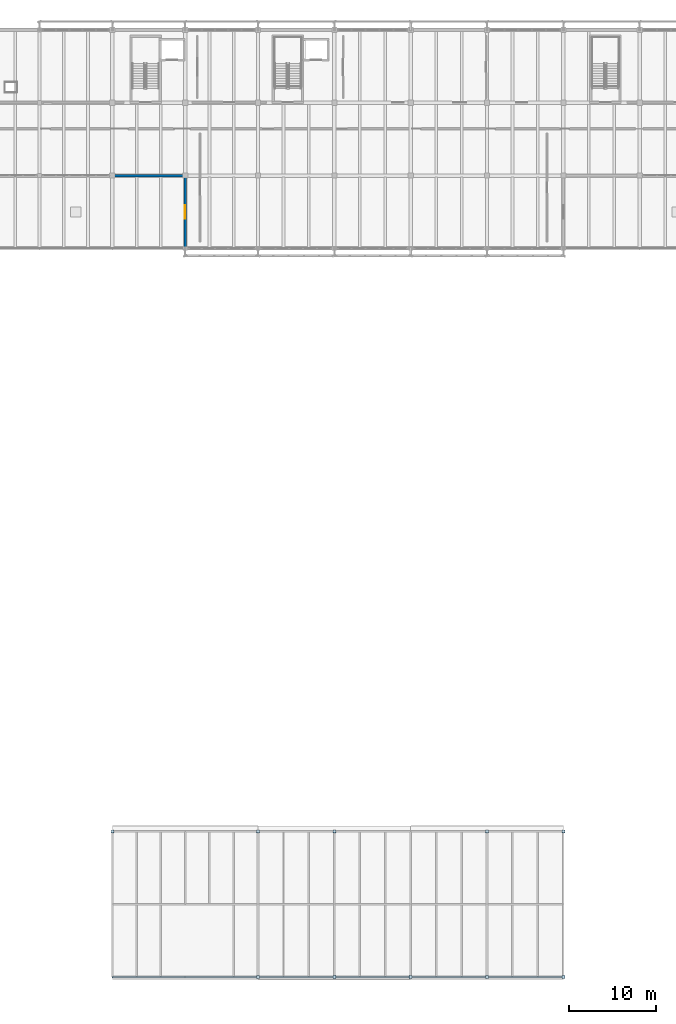
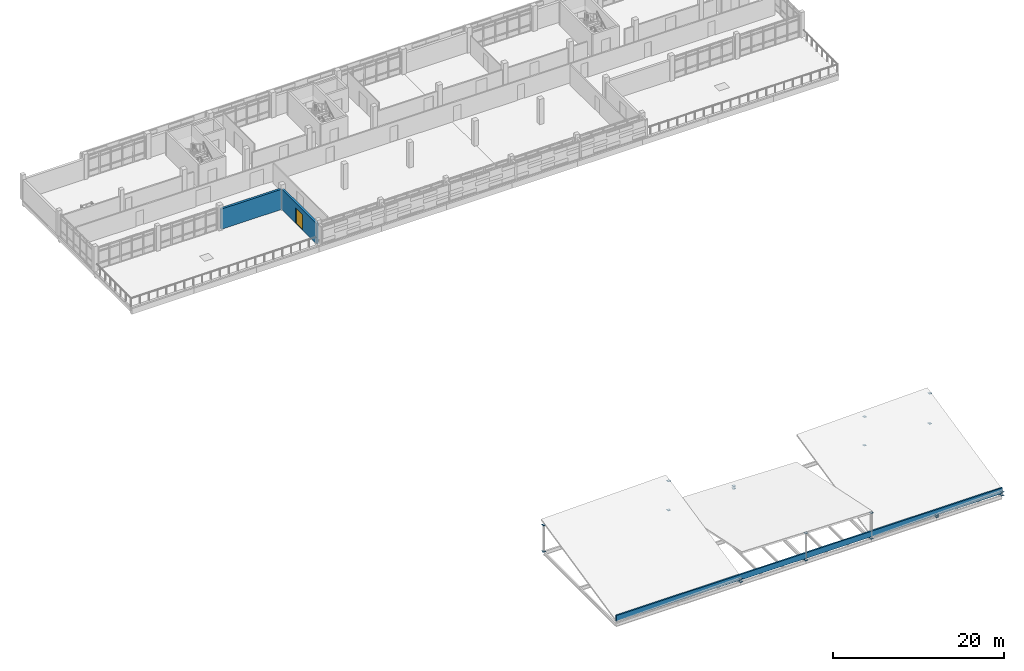
# One storey, part 42 of 50: 20 plates, 4 walls, 1 door, 1 opening.
"""IFC4 building model written with IfcOpenShell, lengths in metres."""

from ifc_helpers import new_model, si_unit, direction, frame, frame_2d, origin, origin_2d, place, context, subcontext, project, spatial, rectangle, extrude, material, layer, layer_set, type_object, element, fill, save


model = new_model("IFC4")

# Units and contexts
model_context = context("Model", 3, precision=1e-05, world=origin(), true_north=direction((0.0, 1.0)))
body_context = subcontext(model_context, "Body", "Model", "MODEL_VIEW")
ifc_project = project(units=[si_unit("LENGTHUNIT", "METRE"), si_unit("AREAUNIT", "SQUARE_METRE"), si_unit("VOLUMEUNIT", "CUBIC_METRE"), si_unit("PLANEANGLEUNIT", "RADIAN"), si_unit("MASSUNIT", "GRAM", prefix="KILO")], contexts=[model_context])

# Site, building, storey
site_placement = place(None, origin())
site = spatial("IfcSite", under=ifc_project, at=site_placement, CompositionType="ELEMENT")
building_placement = place(site_placement, origin())
building = spatial("IfcBuilding", under=site, at=building_placement, Name="Cinderway Yard Community Centre", CompositionType="ELEMENT")
storey_placement = place(building_placement, frame((0.0, 0.0, 12.89990234375)))
storey = spatial("IfcBuildingStorey", under=building, at=storey_placement, Name="L03", CompositionType="ELEMENT", Elevation=12.89990234375)

# Plates
ifc_material_1 = material(Name="Steel S355", Category="steel")
ifc_layer_1 = layer(ifc_material_1, 0.02490234375, Name="Steel S355")
ifc_layer_set_1 = layer_set([ifc_layer_1], Name="Steel S355")
plate_type = type_object("IfcPlateType", Name="STR-PLT-CAP340", PredefinedType="SHEET", material=ifc_layer_set_1)
for number, where, z_axis, x_axis, name in (
    (1, (75.199951171875, 6.0, -0.012451171875), (0.0, 0.0, 1.0), (1.0, 0.0, 0.0), "V3 post base FOLD1-2"),
    (2, (75.199951171875, 6.0, 0.40771484375), (0.0, 0.0, 1.0), (1.0, 0.0, 0.0), "V3 post head FOLD1-2"),
    (3, (58.39990234375, 22.800048828125, -0.012451171875), (0.0, 0.0, 1.0), (1.0, 0.0, 0.0), "V3 post base FOLD1-3"),
    (4, (58.39990234375, 22.800048828125, 3.737548828125), (0.0, 0.0, 1.0), (1.0, 0.0, 0.0), "V3 post head FOLD1-3"),
    (5, (75.199951171875, 22.800048828125, -0.012451171875), (0.0, 0.0, 1.0), (1.0, 0.0, 0.0), "V3 post base FOLD1-4"),
    (6, (75.199951171875, 22.800048828125, 4.1376953125), (0.0, 0.0, 1.0), (1.0, 0.0, 0.0), "V3 post head FOLD1-4"),
    (7, (84.0, 6.0, -0.012451171875), (0.0, 0.0, 1.0), (1.0, 0.0, 0.0), "V3 post base FOLD2-1"),
    (8, (84.0, 6.0, 3.837646484375), (0.0, 0.0, 1.0), (1.0, 0.0, 0.0), "V3 post head FOLD2-1"),
    (9, (92.800048828125, 6.0, -0.012451171875), (0.0, 0.0, 1.0), (1.0, 0.0, 0.0), "V3 post base FOLD2-2"),
    (10, (92.800048828125, 6.0, 3.6376953125), (0.0, 0.0, 1.0), (1.0, 0.0, 0.0), "V3 post head FOLD2-2"),
    (11, (84.0, 22.800048828125, -0.012451171875), (0.0, 0.0, 1.0), (1.0, 0.0, 0.0), "V3 post base FOLD2-3"),
    (12, (84.0, 22.800048828125, 0.337646484375), (0.0, 0.0, 1.0), (1.0, 0.0, 0.0), "V3 post head FOLD2-3"),
    (13, (101.60009765625, 6.0, -0.012451171875), (0.0, 0.0, 1.0), (1.0, 0.0, 0.0), "V3 post base FOLD3-1"),
    (14, (101.60009765625, 6.0, 0.237548828125), (0.0, 0.0, 1.0), (1.0, 0.0, 0.0), "V3 post head FOLD3-1"),
    (15, (110.39990234375, 6.0, -0.012451171875), (0.0, 0.0, 1.0), (1.0, 0.0, 0.0), "V3 post base FOLD3-2"),
    (16, (110.39990234375, 6.0, 0.487548828125), (0.0, 0.0, 1.0), (1.0, 0.0, 0.0), "V3 post head FOLD3-2"),
    (17, (101.60009765625, 22.800048828125, -0.012451171875), (0.0, 0.0, 1.0), (1.0, 0.0, 0.0), "V3 post base FOLD3-3"),
    (18, (101.60009765625, 22.800048828125, 4.03759765625), (0.0, 0.0, 1.0), (1.0, 0.0, 0.0), "V3 post head FOLD3-3"),
    (19, (110.39990234375, 22.800048828125, -0.012451171875), (0.0, 0.0, 1.0), (1.0, 0.0, 0.0), "V3 post base FOLD3-4"),
    (20, (110.39990234375, 22.800048828125, 4.28759765625), (0.0, 0.0, 1.0), (1.0, 0.0, 0.0), "V3 post head FOLD3-4"),
):
    element("IfcPlate", number, at=place(storey_placement, frame(where, z_axis=z_axis, x_axis=x_axis)), inside=storey, type_object=plate_type, Name=name, PredefinedType="SHEET", context=body_context, shape_type="SweptSolid", body=[
        extrude(rectangle(XDim=0.35009765625, YDim=0.35009765625, at=origin_2d()), origin(), (0.0, 0.0, 1.0), 0.02490234375),
    ])

# Wall, opening, door
ifc_material_2 = material(Name="Concrete C35/45", Category="concrete")
ifc_layer_2 = layer(ifc_material_2, 0.280029296875, Name="Concrete C35/45")
ifc_layer_set_2 = layer_set([ifc_layer_2], Name="Concrete C35/45")
wall_type_1 = type_object("IfcWallType", Name="ENV-WAL-EXT280", PredefinedType="SOLIDWALL", material=ifc_layer_set_2)
wall_1_placement = place(storey_placement, frame((66.800048828125, 90.14990234375, 0.0), z_axis=(0.0, 0.0, 1.0), x_axis=(0.0, 1.0, 0.0)))
wall_1 = element("IfcWall", 21, at=wall_1_placement, inside=storey, type_object=wall_type_1, Name="V4 Library Terrace Door Wall ENV-WAL-L03-0176", PredefinedType="SOLIDWALL", context=body_context, shape_type="SweptSolid", body=[
    extrude(rectangle(XDim=8.10009765625, YDim=0.280029296875, at=frame_2d((4.050048828125, 0.0))), origin(), (0.0, 0.0, 1.0), 2.9150390625),
])
opening_placement = place(wall_1_placement, frame((3.25, 0.0, 0.0)))
opening = element("IfcOpeningElement", 22, at=opening_placement, cuts=wall_1, Name="Opening D-TR1", PredefinedType="OPENING", context=body_context, shape_type="SweptSolid", body=[
    extrude(rectangle(XDim=1.60009765625, YDim=2.199951171875, at=frame_2d((0.800048828125, 1.10009765625))), frame((0.0, 0.14990234375, 0.0), z_axis=(0.0, -1.0, 0.0), x_axis=(1.0, 0.0, 0.0)), (0.0, 0.0, 1.0), 0.300048828125),
])
ifc_material_3 = material(Name="Aluminium 6063-T6", Category="aluminium")
door_type = type_object("IfcDoorType", Name="INT-DOR-TER160", OperationType="DOUBLE_DOOR_SINGLE_SWING", PredefinedType="DOOR", material=ifc_material_3)
door_placement = place(opening_placement, origin())
door = element("IfcDoor", 23, at=door_placement, inside=storey, type_object=door_type, Name="Library L03 West Reading Terrace Door EXT-DOR-L03-0088", OperationType="DOUBLE_DOOR_SINGLE_SWING", OverallHeight=2.199951171875, OverallWidth=1.60009765625, PredefinedType="DOOR", context=body_context, shape_type="SweptSolid", body=[
    extrude(rectangle(XDim=1.60009765625, YDim=2.199951171875, at=frame_2d((0.800048828125, 1.10009765625))), frame((0.0, 0.02490234375, 0.0), z_axis=(0.0, -1.0, 0.0), x_axis=(1.0, 0.0, 0.0)), (0.0, 0.0, 1.0), 0.050048828125),
])
fill(opening, door)

# Walls
ifc_material_4 = material(Name="Brick Masonry", Category="masonry")
ifc_layer_3 = layer(ifc_material_4, 0.300048828125, Name="Brick Masonry")
ifc_layer_set_3 = layer_set([ifc_layer_3], Name="Brick Masonry")
wall_type_2 = type_object("IfcWallType", Name="ENV-WAL-EXT300", PredefinedType="SOLIDWALL", material=ifc_layer_set_3)
wall_2_placement = place(storey_placement, frame((58.5, 98.39990234375, 0.0), z_axis=(0.0, 0.0, 1.0), x_axis=(1.0, 0.0, 0.0)))
element("IfcWall", 24, at=wall_2_placement, inside=storey, type_object=wall_type_2, Name="V4 Courtyard Portal Wall ENV-WAL-L03-0168", PredefinedType="SOLIDWALL", context=body_context, shape_type="SweptSolid", body=[
    extrude(rectangle(XDim=8.199951171875, YDim=0.300048828125, at=frame_2d((4.10009765625, 0.0))), origin(), (0.0, 0.0, 1.0), 2.885009765625),
])
ifc_layer_4 = layer(ifc_material_2, 0.199951171875, Name="Concrete C35/45")
ifc_layer_set_4 = layer_set([ifc_layer_4], Name="Concrete C35/45")
wall_type_3 = type_object("IfcWallType", Name="ENV-WAL-PAR200", PredefinedType="PARAPET", material=ifc_layer_set_4)
wall_3_placement = place(storey_placement, frame((58.39990234375, 6.0, 0.25), z_axis=(0.0, 0.0, 1.0), x_axis=(1.0, 0.0, 0.0)))
element("IfcWall", 25, at=wall_3_placement, inside=storey, type_object=wall_type_3, Name="Roof parapet upstand ENV-WAL-L03-0245", PredefinedType="PARAPET", context=body_context, shape_type="SweptSolid", body=[
    extrude(rectangle(XDim=25.60009765625, YDim=0.199951171875, at=frame_2d((12.800048828125, 0.0))), origin(), (0.0, 0.0, 1.0), 0.800048828125),
])
wall_4_placement = place(storey_placement, frame((84.0, 6.0, 0.25), z_axis=(0.0, 0.0, 1.0), x_axis=(1.0, 0.0, 0.0)))
element("IfcWall", 26, at=wall_4_placement, inside=storey, type_object=wall_type_3, Name="Roof parapet upstand ENV-WAL-L03-0246", PredefinedType="PARAPET", context=body_context, shape_type="SweptSolid", body=[
    extrude(rectangle(XDim=26.39990234375, YDim=0.199951171875, at=frame_2d((13.199951171875, 0.0))), origin(), (0.0, 0.0, 1.0), 0.800048828125),
])

save(model, "model.ifc")
